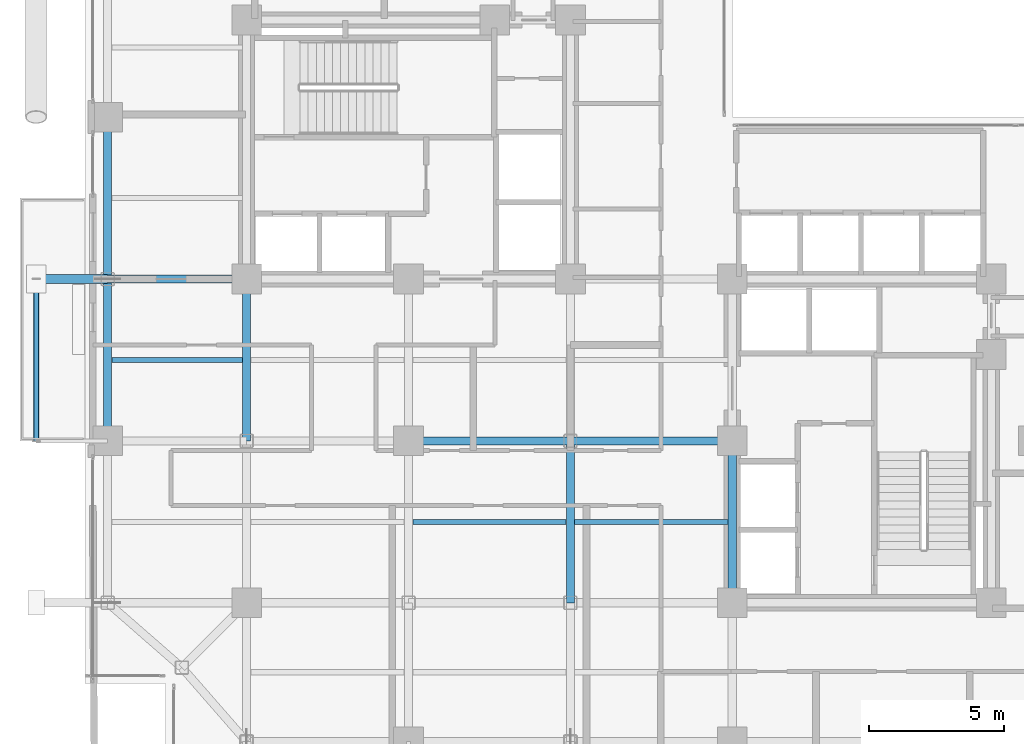
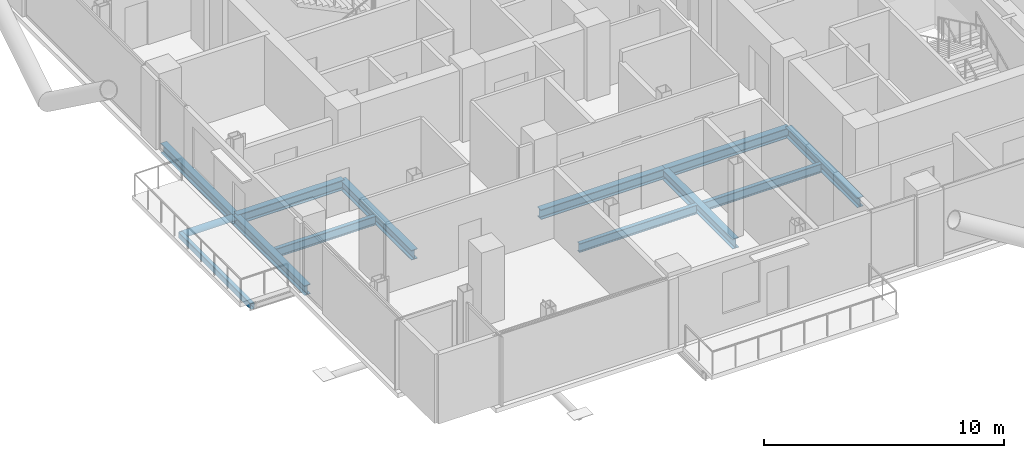
# One storey, part 5 of 24: 12 beams, 1 member.
"""IFC4 building model written with IfcOpenShell, lengths in metres."""

from ifc_helpers import new_model, si_unit, direction, frame, origin, origin_2d, place, context, subcontext, project, spatial, hollow_rectangle, hollow_circle, i_section, extrude, material, material_profile, profile_set, type_object, element, save


model = new_model("IFC4")

# Units and contexts
model_context = context("Model", 3, precision=1e-05, world=origin(), true_north=direction((0.0, 1.0)))
body_context = subcontext(model_context, "Body", "Model", "MODEL_VIEW")
ifc_project = project(units=[si_unit("LENGTHUNIT", "METRE"), si_unit("AREAUNIT", "SQUARE_METRE"), si_unit("VOLUMEUNIT", "CUBIC_METRE"), si_unit("PLANEANGLEUNIT", "RADIAN"), si_unit("MASSUNIT", "GRAM", prefix="KILO"), si_unit("THERMODYNAMICTEMPERATUREUNIT", "KELVIN"), si_unit("POWERUNIT", "WATT")], contexts=[model_context])

# Site, building, storey
site_placement = place(None, origin())
site = spatial("IfcSite", under=ifc_project, at=site_placement, CompositionType="ELEMENT")
building_placement = place(site_placement, origin())
building = spatial("IfcBuilding", under=site, at=building_placement, Name="Svarakhadi Broadcast Tower", CompositionType="ELEMENT")
storey_placement = place(building_placement, frame((0.0, 0.0, 126.89990234375)))
storey = spatial("IfcBuildingStorey", under=building, at=storey_placement, Name="L30", CompositionType="ELEMENT", Elevation=126.89990234375)

# Beams
ifc_material_1 = material(Name="Steel S355J2 (IS 2062 E350C)", Category="steel")
ifc_material_profile_1 = material_profile(ifc_material_1, i_section(OverallWidth=0.18994140625, OverallDepth=0.449951171875, WebThickness=0.009521484375, FlangeThickness=0.0146484375, FilletRadius=0.02099609375, at=origin_2d()), Name="NPB 450x190x78")
ifc_profile_set_1 = profile_set([ifc_material_profile_1], Name="Steel S355J2 (IS 2062 E350C)")
beam_type_1 = type_object("IfcBeamType", Name="Beam_NPB450", PredefinedType="BEAM", material=ifc_profile_set_1)
beam_1_placement = place(storey_placement, frame((1.010009765625, 15.0, -0.449951171875), z_axis=(1.0, 0.0, 0.0), x_axis=(0.0, 1.0, 0.0)))
element("IfcBeam", 1, at=beam_1_placement, inside=storey, type_object=beam_type_1, Name="L30 Secondary Composite Beam SB002", PredefinedType="BEAM", context=body_context, shape_type="SweptSolid", body=[
    extrude(i_section(OverallWidth=0.18994140625, OverallDepth=0.449951171875, WebThickness=0.009521484375, FlangeThickness=0.0146484375, FilletRadius=0.02099609375, at=origin_2d()), origin(), (0.0, 0.0, 1.0), 4.830078125),
])
for number, where, z_axis, x_axis, name in (
    (2, (12.159912109375, 9.0, -0.449951171875), (1.0, 0.0, 0.0), (0.0, 1.0, 0.0), "L30 Secondary Composite Beam SB012"),
    (3, (18.159912109375, 9.0, -0.449951171875), (1.0, 0.0, 0.0), (0.0, 1.0, 0.0), "L30 Secondary Composite Beam SB017"),
):
    element("IfcBeam", number, at=place(storey_placement, frame(where, z_axis=z_axis, x_axis=x_axis)), inside=storey, type_object=beam_type_1, Name=name, PredefinedType="BEAM", context=body_context, shape_type="SweptSolid", body=[
        extrude(i_section(OverallWidth=0.18994140625, OverallDepth=0.449951171875, WebThickness=0.009521484375, FlangeThickness=0.0146484375, FilletRadius=0.02099609375, at=origin_2d()), origin(), (0.0, 0.0, 1.0), 5.68017578125),
    ])

# Member
ifc_material_2 = material(Name="Steel S460ML (IS 2062 E450BR)", Category="steel")
ifc_material_profile_2 = material_profile(ifc_material_2, hollow_circle(Radius=0.161865234375, WallThickness=0.01611328125, at=origin_2d()), Name="CHS 323.9x16")
ifc_profile_set_2 = profile_set([ifc_material_profile_2], Name="Steel S460ML (IS 2062 E450BR)")
member_type = type_object("IfcMemberType", Name="Exo_Radial_Strut_Z2", PredefinedType="STRUT", material=ifc_profile_set_2)
member_placement = place(storey_placement, frame((-1.800048828125, 18.0, -0.386962890625), z_axis=(1.0, 0.0, 0.0), x_axis=(0.0, 1.0, 0.0)))
element("IfcMember", 4, at=member_placement, inside=storey, type_object=member_type, Name="L30 Exoskeleton Radial Tie Strut W06", PredefinedType="STRUT", context=body_context, shape_type="SweptSolid", body=[
    extrude(hollow_circle(Radius=0.161865234375, WallThickness=0.01611328125, at=origin_2d()), origin(), (0.0, 0.0, 1.0), 2.650146484375),
])

# Beams
ifc_material_profile_3 = material_profile(ifc_material_1, i_section(OverallWidth=0.300048828125, OverallDepth=0.5, WebThickness=0.014404296875, FlangeThickness=0.028076171875, FilletRadius=0.027099609375, at=origin_2d()), Name="WPB 500x300x187")
ifc_profile_set_3 = profile_set([ifc_material_profile_3], Name="Steel S355J2 (IS 2062 E350C)")
beam_type_2 = type_object("IfcBeamType", Name="Girder_WPB500", PredefinedType="USERDEFINED", material=ifc_profile_set_3)
for number, where, z_axis, x_axis, name in (
    (5, (12.0, 12.0, -0.474853515625), (1.0, 0.0, 0.0), (0.0, 1.0, 0.0), "L30 Primary E-W Girder G019"),
    (6, (18.0, 12.0, -0.474853515625), (1.0, 0.0, 0.0), (0.0, 1.0, 0.0), "L30 Primary E-W Girder G020"),
):
    element("IfcBeam", number, at=place(storey_placement, frame(where, z_axis=z_axis, x_axis=x_axis)), inside=storey, type_object=beam_type_2, Name=name, ObjectType="GIRDER", PredefinedType="USERDEFINED", context=body_context, shape_type="SweptSolid", body=[
        extrude(i_section(OverallWidth=0.300048828125, OverallDepth=0.5, WebThickness=0.014404296875, FlangeThickness=0.028076171875, FilletRadius=0.027099609375, at=origin_2d()), origin(), (0.0, 0.0, 1.0), 6.0),
    ])
beam_2_placement = place(storey_placement, frame((0.85009765625, 18.0, -0.474853515625), z_axis=(1.0, 0.0, 0.0), x_axis=(0.0, 1.0, 0.0)))
element("IfcBeam", 7, at=beam_2_placement, inside=storey, type_object=beam_type_2, Name="L30 Primary E-W Girder G023", ObjectType="GIRDER", PredefinedType="USERDEFINED", context=body_context, shape_type="SweptSolid", body=[
    extrude(i_section(OverallWidth=0.300048828125, OverallDepth=0.5, WebThickness=0.014404296875, FlangeThickness=0.028076171875, FilletRadius=0.027099609375, at=origin_2d()), origin(), (0.0, 0.0, 1.0), 5.14990234375),
])
for number, where, z_axis, x_axis, name in (
    (8, (0.85009765625, 12.0, -0.474853515625), (0.0, 1.0, 0.0), (-1.0, 0.0, 0.0), "L30 Primary N-S Girder G041"),
    (9, (0.85009765625, 18.0, -0.474853515625), (0.0, 1.0, 0.0), (-1.0, 0.0, 0.0), "L30 Primary N-S Girder G042"),
    (10, (6.0, 12.0, -0.474853515625), (0.0, 1.0, 0.0), (-1.0, 0.0, 0.0), "L30 Primary N-S Girder G047"),
    (11, (18.0, 6.0, -0.474853515625), (0.0, 1.0, 0.0), (-1.0, 0.0, 0.0), "L30 Primary N-S Girder G057"),
    (12, (24.0, 6.0, -0.474853515625), (0.0, 1.0, 0.0), (-1.0, 0.0, 0.0), "L30 Primary N-S Girder G063"),
):
    element("IfcBeam", number, at=place(storey_placement, frame(where, z_axis=z_axis, x_axis=x_axis)), inside=storey, type_object=beam_type_2, Name=name, ObjectType="GIRDER", PredefinedType="USERDEFINED", context=body_context, shape_type="SweptSolid", body=[
        extrude(i_section(OverallWidth=0.300048828125, OverallDepth=0.5, WebThickness=0.014404296875, FlangeThickness=0.028076171875, FilletRadius=0.027099609375, at=origin_2d()), origin(), (0.0, 0.0, 1.0), 6.0),
    ])
ifc_material_profile_4 = material_profile(ifc_material_2, hollow_rectangle(XDim=0.199951171875, YDim=0.300048828125, WallThickness=0.012451171875, InnerFilletRadius=0.012451171875, OuterFilletRadius=0.02490234375, at=origin_2d()), Name="RHS 300x200x12.5")
ifc_profile_set_4 = profile_set([ifc_material_profile_4], Name="Steel S460ML (IS 2062 E450BR)")
beam_type_3 = type_object("IfcBeamType", Name="Spandrel_RHS300", PredefinedType="SPANDREL", material=ifc_profile_set_4)
beam_3_placement = place(storey_placement, frame((-1.800048828125, 12.0, -0.375), z_axis=(0.0, 1.0, 0.0), x_axis=(-1.0, 0.0, 0.0)))
element("IfcBeam", 13, at=beam_3_placement, inside=storey, type_object=beam_type_3, Name="L30 Balcony Outer Spandrel 2F", PredefinedType="SPANDREL", context=body_context, shape_type="SweptSolid", body=[
    extrude(hollow_rectangle(XDim=0.199951171875, YDim=0.300048828125, WallThickness=0.012451171875, InnerFilletRadius=0.012451171875, OuterFilletRadius=0.02490234375, at=origin_2d()), origin(), (0.0, 0.0, 1.0), 6.0),
])

save(model, "model.ifc")
